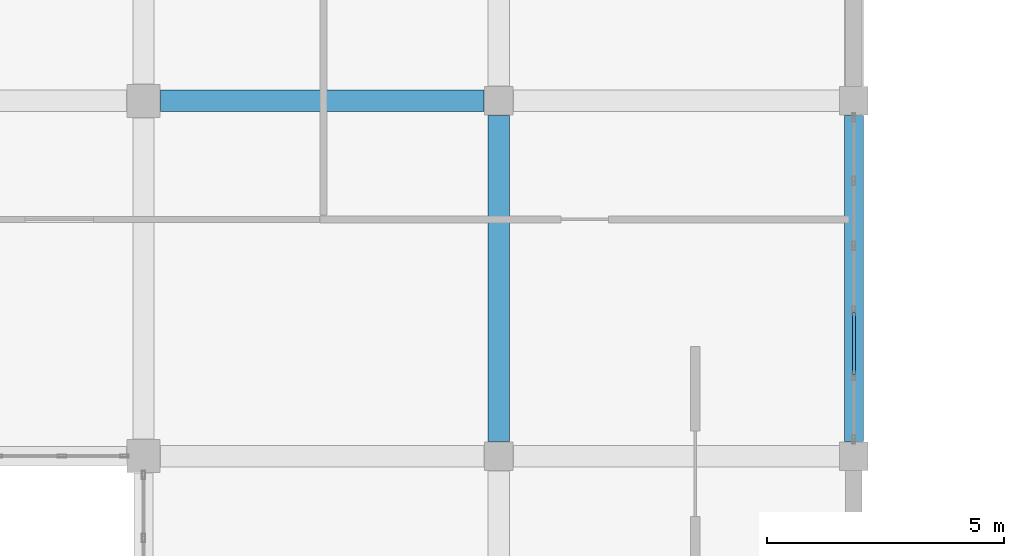
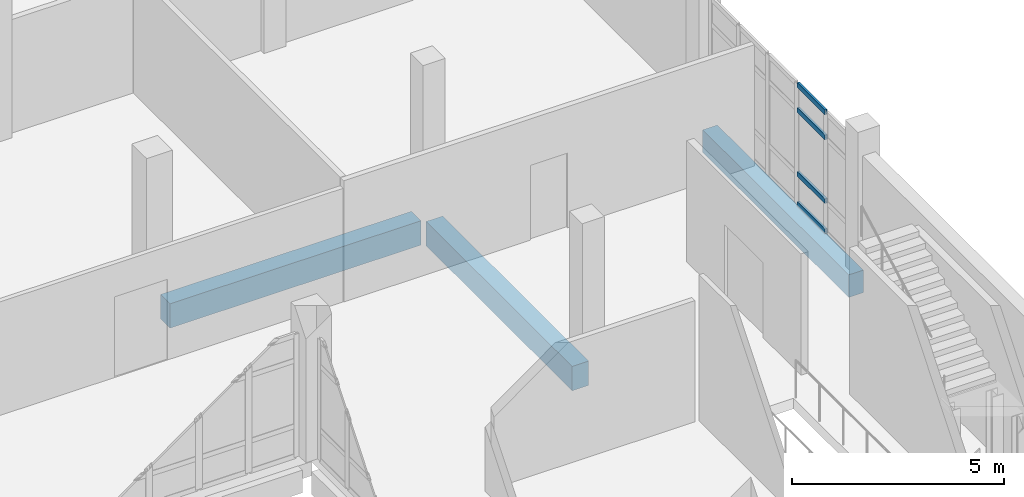
# One storey, part 42 of 164: 4 members, 3 beams, 1 element without a shape of its own.
"""IFC4 building model written with IfcOpenShell, lengths in metres."""

from ifc_helpers import new_model, si_unit, direction, frame, origin, origin_2d, place, context, subcontext, project, spatial, rectangle, hollow_rectangle, extrude, material, layer, layer_set, material_profile, profile_set, type_object, element, aggregate, save


model = new_model("IFC4")

# Units and contexts
model_context = context("Model", 3, precision=1e-05, world=origin(), true_north=direction((0.0, 1.0)))
body_context = subcontext(model_context, "Body", "Model", "MODEL_VIEW")
ifc_project = project(units=[si_unit("LENGTHUNIT", "METRE"), si_unit("AREAUNIT", "SQUARE_METRE"), si_unit("VOLUMEUNIT", "CUBIC_METRE"), si_unit("PLANEANGLEUNIT", "RADIAN"), si_unit("MASSUNIT", "GRAM", prefix="KILO")], contexts=[model_context])

# Site, building, storey
site_placement = place(None, origin())
site = spatial("IfcSite", under=ifc_project, at=site_placement, CompositionType="ELEMENT")
building_placement = place(site_placement, origin())
building = spatial("IfcBuilding", under=site, at=building_placement, Name="Mawjan Specialist Oncology Clinic", CompositionType="ELEMENT")
storey_placement = place(building_placement, frame((0.0, 0.0, 5.0)))
storey = spatial("IfcBuildingStorey", under=building, at=storey_placement, Name="L01", CompositionType="ELEMENT", Elevation=5.0)

# Beams
ifc_material_1 = material(Name="Concrete C40/50", Category="concrete")
ifc_material_profile_1 = material_profile(ifc_material_1, rectangle(XDim=0.449951171875, YDim=0.699951171875, at=origin_2d()), Name="RC BM 450x700", Category="concrete")
ifc_profile_set_1 = profile_set([ifc_material_profile_1], Name="Concrete C40/50")
beam_type_1 = type_object("IfcBeamType", Name="BM-450x700", PredefinedType="BEAM", material=ifc_profile_set_1)
beam_1_placement = place(storey_placement, frame((30.360107421875, 38.300048828125, -0.64990234375), z_axis=(1.0, 0.0, 0.0), x_axis=(0.0, 1.0, 0.0)))
element("IfcBeam", 1, at=beam_1_placement, inside=storey, type_object=beam_type_1, Name="L01 Collector Beam BM-L01-0254", PredefinedType="BEAM", context=body_context, shape_type="SweptSolid", body=[
    extrude(rectangle(XDim=0.449951171875, YDim=0.699951171875, at=origin_2d()), origin(), (0.0, 0.0, 1.0), 6.829833984375),
])
beam_2_placement = place(storey_placement, frame((37.5, 31.110107421875, -0.64990234375), z_axis=(0.0, 1.0, 0.0), x_axis=(-1.0, 0.0, 0.0)))
element("IfcBeam", 2, at=beam_2_placement, inside=storey, type_object=beam_type_1, Name="L01 Collector Beam BM-L01-0466", PredefinedType="BEAM", context=body_context, shape_type="SweptSolid", body=[
    extrude(rectangle(XDim=0.449951171875, YDim=0.699951171875, at=origin_2d()), origin(), (0.0, 0.0, 1.0), 6.8798828125),
])

# Curtain wall, members
ifc_material_2 = material(Name="Unitised spectrally selective aluminium curtain wall", Category="aluminium")
ifc_layer = layer(ifc_material_2, 0.179931640625, Name="Unitised spectrally selective aluminium curtain wall", Category="aluminium")
ifc_layer_set = layer_set([ifc_layer], Name="Unitised spectrally selective aluminium curtain wall")
curtain_wall_type = type_object("IfcCurtainWallType", Name="CW-60", PredefinedType="NOTDEFINED", material=ifc_layer_set)
curtain_wall_placement = place(storey_placement, origin())
curtain_wall = element("IfcCurtainWall", 3, at=curtain_wall_placement, inside=storey, type_object=curtain_wall_type, Name="L01 Unitised Curtain Wall CW-L01-140", PredefinedType="NOTDEFINED")
ifc_material_3 = material(Name="Thermally broken aluminium 6063-T6", Category="aluminium")
ifc_material_profile_2 = material_profile(ifc_material_3, hollow_rectangle(XDim=0.06494140625, YDim=0.139892578125, WallThickness=0.00390625, at=origin_2d()), Name="ALU TRANSOM 140x65x4", Category="aluminium")
ifc_profile_set_2 = profile_set([ifc_material_profile_2], Name="Thermally broken aluminium 6063-T6")
member_type = type_object("IfcMemberType", Name="CW-T140", PredefinedType="USERDEFINED", material=ifc_profile_set_2)
member_1_placement = place(storey_placement, frame((45.0, 33.83154296875, 0.032470703125), z_axis=(0.0, -1.0, 0.0), x_axis=(1.0, 0.0, 0.0)))
member_1 = element("IfcMember", 4, at=member_1_placement, type_object=member_type, Name="CW-60 transom 4.1", ObjectType="TRANSOM", PredefinedType="USERDEFINED", context=body_context, shape_type="SweptSolid", body=[
    extrude(hollow_rectangle(XDim=0.06494140625, YDim=0.139892578125, WallThickness=0.00390625, at=origin_2d()), origin(), (0.0, 0.0, 1.0), 1.30712890625),
])
member_2_placement = place(storey_placement, frame((45.0, 33.83154296875, 0.89990234375), z_axis=(0.0, -1.0, 0.0), x_axis=(1.0, 0.0, 0.0)))
member_2 = element("IfcMember", 5, at=member_2_placement, type_object=member_type, Name="CW-60 transom 4.2", ObjectType="TRANSOM", PredefinedType="USERDEFINED", context=body_context, shape_type="SweptSolid", body=[
    extrude(hollow_rectangle(XDim=0.06494140625, YDim=0.139892578125, WallThickness=0.00390625, at=origin_2d()), origin(), (0.0, 0.0, 1.0), 1.30712890625),
])
member_3_placement = place(storey_placement, frame((45.0, 33.83154296875, 2.735107421875), z_axis=(0.0, -1.0, 0.0), x_axis=(1.0, 0.0, 0.0)))
member_3 = element("IfcMember", 6, at=member_3_placement, type_object=member_type, Name="CW-60 transom 4.3", ObjectType="TRANSOM", PredefinedType="USERDEFINED", context=body_context, shape_type="SweptSolid", body=[
    extrude(hollow_rectangle(XDim=0.06494140625, YDim=0.139892578125, WallThickness=0.00390625, at=origin_2d()), origin(), (0.0, 0.0, 1.0), 1.30712890625),
])
member_4_placement = place(storey_placement, frame((45.0, 33.83154296875, 3.452392578125), z_axis=(0.0, -1.0, 0.0), x_axis=(1.0, 0.0, 0.0)))
member_4 = element("IfcMember", 7, at=member_4_placement, type_object=member_type, Name="CW-60 transom 4.4", ObjectType="TRANSOM", PredefinedType="USERDEFINED", context=body_context, shape_type="SweptSolid", body=[
    extrude(hollow_rectangle(XDim=0.06494140625, YDim=0.139892578125, WallThickness=0.00390625, at=origin_2d()), origin(), (0.0, 0.0, 1.0), 1.30712890625),
])
aggregate(curtain_wall, [member_1, member_2, member_3, member_4])

# Beam
ifc_material_4 = material(Name="Concrete C45/55", Category="concrete")
ifc_material_profile_3 = material_profile(ifc_material_4, rectangle(XDim=0.39990234375, YDim=0.64990234375, at=origin_2d()), Name="RC BM 400x650", Category="concrete")
ifc_profile_set_3 = profile_set([ifc_material_profile_3], Name="Concrete C45/55")
beam_type_2 = type_object("IfcBeamType", Name="SP-400x650", PredefinedType="SPANDREL", material=ifc_profile_set_3)
beam_3_placement = place(storey_placement, frame((45.0, 31.110107421875, -0.625), z_axis=(0.0, 1.0, 0.0), x_axis=(-1.0, 0.0, 0.0)))
element("IfcBeam", 8, at=beam_3_placement, inside=storey, type_object=beam_type_2, Name="L01 Spandrel Beam BM-L01-0473", PredefinedType="SPANDREL", context=body_context, shape_type="SweptSolid", body=[
    extrude(rectangle(XDim=0.39990234375, YDim=0.64990234375, at=origin_2d()), origin(), (0.0, 0.0, 1.0), 6.8798828125),
])

save(model, "model.ifc")
